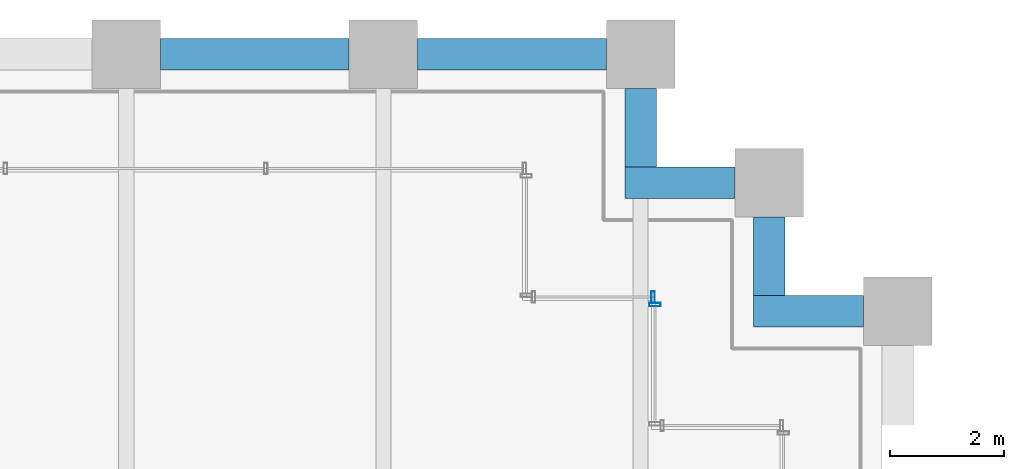
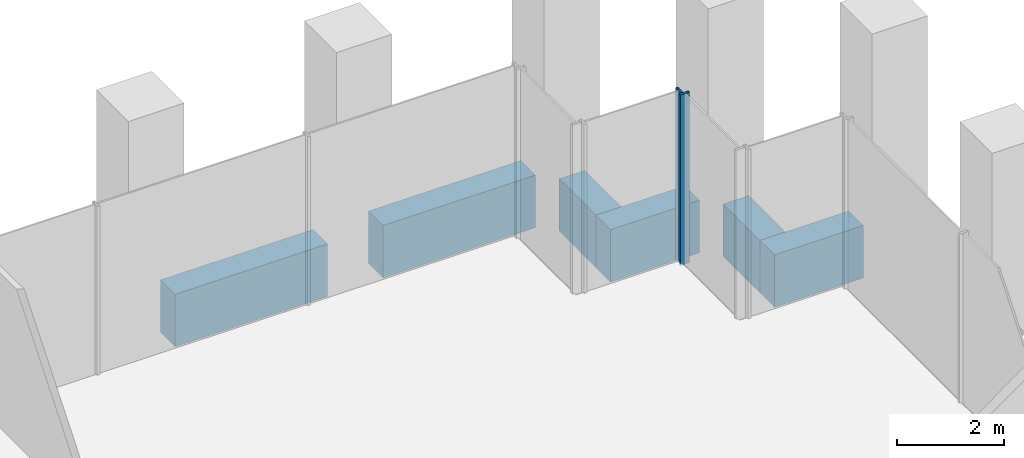
# One storey, part 18 of 36: 6 beams, 2 members, 2 elements without a shape of their own.
"""IFC4 building model written with IfcOpenShell, lengths in metres."""

from ifc_helpers import new_model, si_unit, direction, frame, origin, origin_2d, place, context, subcontext, project, spatial, rectangle, hollow_rectangle, extrude, material, material_profile, profile_set, type_object, element, aggregate, save


model = new_model("IFC4")

# Units and contexts
model_context = context("Model", 3, precision=1e-05, world=origin(), true_north=direction((0.0, 1.0)))
body_context = subcontext(model_context, "Body", "Model", "MODEL_VIEW")
ifc_project = project(units=[si_unit("LENGTHUNIT", "METRE"), si_unit("AREAUNIT", "SQUARE_METRE"), si_unit("VOLUMEUNIT", "CUBIC_METRE"), si_unit("PLANEANGLEUNIT", "RADIAN"), si_unit("MASSUNIT", "GRAM", prefix="KILO")], contexts=[model_context])

# Site, building, storey
site_placement = place(None, origin())
site = spatial("IfcSite", under=ifc_project, at=site_placement, CompositionType="ELEMENT")
building_placement = place(site_placement, origin())
building = spatial("IfcBuilding", under=site, at=building_placement, Name="Altepetl Exchange Towers", CompositionType="ELEMENT")
storey_placement = place(building_placement, frame((0.0, 0.0, 43.0)))
storey = spatial("IfcBuildingStorey", under=building, at=storey_placement, Name="L09", CompositionType="ELEMENT", Elevation=43.0)

# Curtain wall, member
ifc_material_1 = material(Name="Aluminium 6063-T6 glazing", Category="aluminium")
curtain_wall_type = type_object("IfcCurtainWallType", Name="Trading floor glazing system", PredefinedType="NOTDEFINED", material=ifc_material_1)
curtain_wall_1_placement = place(storey_placement, origin())
curtain_wall_1 = element("IfcCurtainWall", 1, at=curtain_wall_1_placement, inside=storey, type_object=curtain_wall_type, Name="CW2 run", PredefinedType="NOTDEFINED")
ifc_material_2 = material(Name="Aluminium 6063-T6", Category="aluminium")
ifc_material_profile_1 = material_profile(ifc_material_2, hollow_rectangle(XDim=0.06005859375, YDim=0.199951171875, WallThickness=0.0029296875, at=origin_2d()), Name="Mullion 60x200 aluminium")
ifc_profile_set_1 = profile_set([ifc_material_profile_1], Name="Aluminium 6063-T6")
member_type = type_object("IfcMemberType", Name="Mullion 60x200 aluminium", PredefinedType="MULLION", material=ifc_profile_set_1)
member_1_placement = place(storey_placement, frame((67.75, 67.6201171875, 0.0), z_axis=(0.0, 0.0, 1.0), x_axis=(0.0, 1.0, 0.0)))
member_1 = element("IfcMember", 2, at=member_1_placement, type_object=member_type, Name="MU2 mullion", PredefinedType="MULLION", context=body_context, shape_type="SweptSolid", body=[
    extrude(hollow_rectangle(XDim=0.06005859375, YDim=0.199951171875, WallThickness=0.0029296875, at=origin_2d()), origin(), (0.0, 0.0, 1.0), 3.89990234375),
])
aggregate(curtain_wall_1, [member_1])

curtain_wall_2_placement = place(storey_placement, origin())
curtain_wall_2 = element("IfcCurtainWall", 3, at=curtain_wall_2_placement, inside=storey, type_object=curtain_wall_type, Name="CW2 run", PredefinedType="NOTDEFINED")
member_2_placement = place(storey_placement, frame((67.719970703125, 67.75, 0.0), z_axis=(0.0, 0.0, 1.0), x_axis=(-1.0, 0.0, 0.0)))
member_2 = element("IfcMember", 4, at=member_2_placement, type_object=member_type, Name="MU2 mullion", PredefinedType="MULLION", context=body_context, shape_type="SweptSolid", body=[
    extrude(hollow_rectangle(XDim=0.06005859375, YDim=0.199951171875, WallThickness=0.0029296875, at=origin_2d()), origin(), (0.0, 0.0, 1.0), 3.89990234375),
])
aggregate(curtain_wall_2, [member_2])

# Beams
ifc_material_3 = material(Name="Concrete C50/60 precast with cantera rosa facing", Category="concrete")
ifc_material_profile_2 = material_profile(ifc_material_3, rectangle(XDim=0.550048828125, YDim=1.199951171875, at=origin_2d()), Name="550 x 1200")
ifc_profile_set_2 = profile_set([ifc_material_profile_2], Name="Concrete C50/60 precast with cantera rosa facing")
beam_type = type_object("IfcBeamType", Name="Spandrel beam 550x1200 cantera rosa", PredefinedType="SPANDREL", material=ifc_profile_set_2)
beam_1_placement = place(storey_placement, frame((71.39990234375, 67.5, -0.77490234375), z_axis=(-1.0, 0.0, 0.0), x_axis=(0.0, -1.0, 0.0)))
element("IfcBeam", 5, at=beam_1_placement, inside=storey, type_object=beam_type, Name="sp:A:L09:020", PredefinedType="SPANDREL", context=body_context, shape_type="SweptSolid", body=[
    extrude(rectangle(XDim=0.550048828125, YDim=1.199951171875, at=origin_2d()), origin(), (0.0, 0.0, 1.0), 1.9248046875),
])
beam_2_placement = place(storey_placement, frame((69.75, 67.77490234375, -0.77490234375), z_axis=(0.0, 1.0, 0.0), x_axis=(-1.0, 0.0, 0.0)))
element("IfcBeam", 6, at=beam_2_placement, inside=storey, type_object=beam_type, Name="sp:A:L09:021", PredefinedType="SPANDREL", context=body_context, shape_type="SweptSolid", body=[
    extrude(rectangle(XDim=0.550048828125, YDim=1.199951171875, at=origin_2d()), origin(), (0.0, 0.0, 1.0), 1.375),
])
beam_3_placement = place(storey_placement, frame((69.14990234375, 69.75, -0.77490234375), z_axis=(-1.0, 0.0, 0.0), x_axis=(0.0, -1.0, 0.0)))
element("IfcBeam", 7, at=beam_3_placement, inside=storey, type_object=beam_type, Name="sp:A:L09:022", PredefinedType="SPANDREL", context=body_context, shape_type="SweptSolid", body=[
    extrude(rectangle(XDim=0.550048828125, YDim=1.199951171875, at=origin_2d()), origin(), (0.0, 0.0, 1.0), 1.9248046875),
])
beam_4_placement = place(storey_placement, frame((67.5, 70.02490234375, -0.77490234375), z_axis=(0.0, 1.0, 0.0), x_axis=(-1.0, 0.0, 0.0)))
element("IfcBeam", 8, at=beam_4_placement, inside=storey, type_object=beam_type, Name="sp:A:L09:023", PredefinedType="SPANDREL", context=body_context, shape_type="SweptSolid", body=[
    extrude(rectangle(XDim=0.550048828125, YDim=1.199951171875, at=origin_2d()), origin(), (0.0, 0.0, 1.0), 1.375),
])
for number, where, z_axis, x_axis, name in (
    (9, (66.89990234375, 72.0, -0.77490234375), (-1.0, 0.0, 0.0), (0.0, -1.0, 0.0), "sp:A:L09:024"),
    (10, (62.39990234375, 72.0, -0.77490234375), (-1.0, 0.0, 0.0), (0.0, -1.0, 0.0), "sp:A:L09:025"),
):
    element("IfcBeam", number, at=place(storey_placement, frame(where, z_axis=z_axis, x_axis=x_axis)), inside=storey, type_object=beam_type, Name=name, PredefinedType="SPANDREL", context=body_context, shape_type="SweptSolid", body=[
        extrude(rectangle(XDim=0.550048828125, YDim=1.199951171875, at=origin_2d()), origin(), (0.0, 0.0, 1.0), 3.2998046875),
    ])

save(model, "model.ifc")
